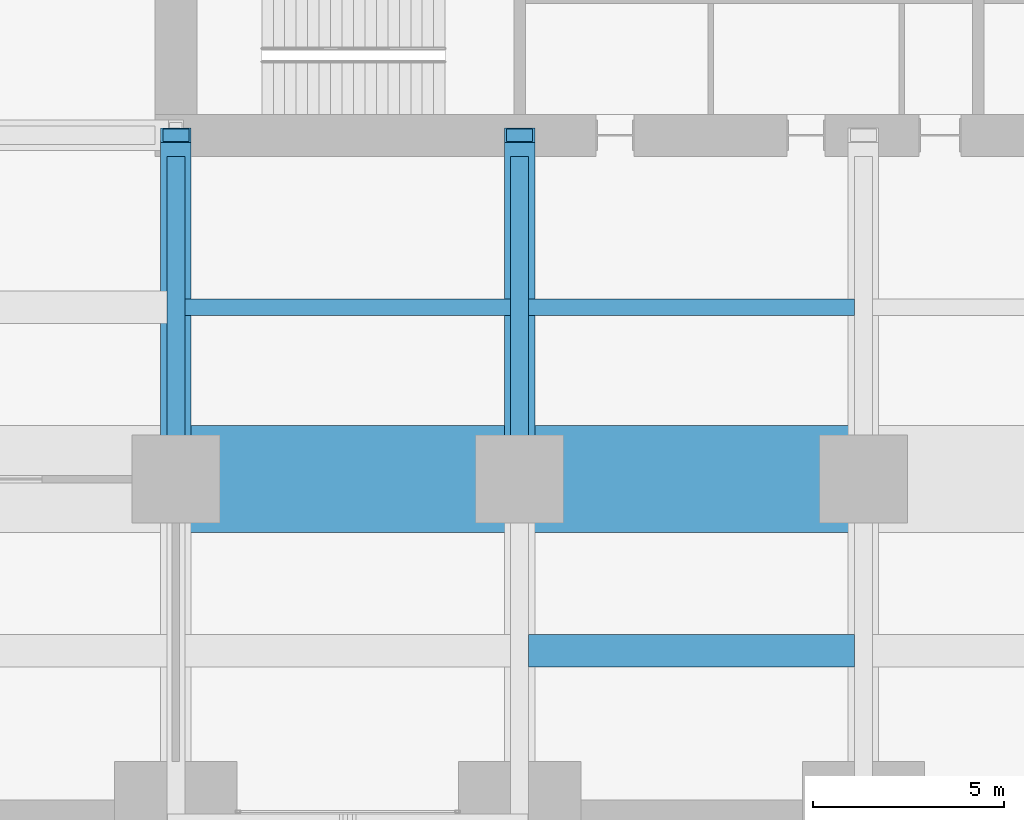
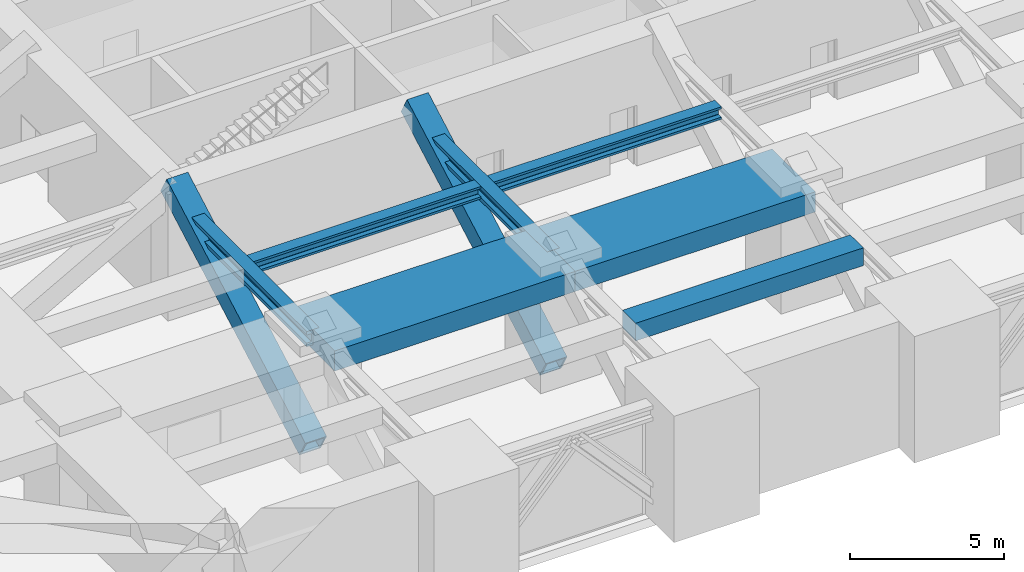
# One storey, part 5 of 35: 7 beams, 2 members.
"""IFC4 building model written with IfcOpenShell, lengths in metres."""

from ifc_helpers import new_model, si_unit, direction, frame, origin, origin_2d, place, context, subcontext, project, spatial, rectangle, hollow_rectangle, i_section, extrude, material, material_profile, profile_set, type_object, element, save


model = new_model("IFC4")

# Units and contexts
model_context = context("Model", 3, precision=1e-05, world=origin(), true_north=direction((0.0, 1.0)))
body_context = subcontext(model_context, "Body", "Model", "MODEL_VIEW")
ifc_project = project(units=[si_unit("LENGTHUNIT", "METRE"), si_unit("AREAUNIT", "SQUARE_METRE"), si_unit("VOLUMEUNIT", "CUBIC_METRE"), si_unit("PLANEANGLEUNIT", "RADIAN"), si_unit("MASSUNIT", "GRAM", prefix="KILO")], contexts=[model_context])

# Site, building, storey
site_placement = place(None, origin())
site = spatial("IfcSite", under=ifc_project, at=site_placement, CompositionType="ELEMENT")
building_placement = place(site_placement, origin())
building = spatial("IfcBuilding", under=site, at=building_placement, Name="Zorevar Civic Tower", CompositionType="ELEMENT")
storey_placement = place(building_placement, frame((0.0, 0.0, 80.0)))
storey = spatial("IfcBuildingStorey", under=building, at=storey_placement, Name="L19", CompositionType="ELEMENT", Elevation=80.0)

# Beams
ifc_material_1 = material(Name="Concrete C50/60", Category="concrete")
ifc_material_profile_1 = material_profile(ifc_material_1, rectangle(XDim=2.800048828125, YDim=0.800048828125, at=origin_2d()), Name="RC 2800x800")
ifc_profile_set_1 = profile_set([ifc_material_profile_1], Name="Concrete C50/60")
beam_type_1 = type_object("IfcBeamType", Name="Beam RC 2800x800", PredefinedType="BEAM", material=ifc_profile_set_1)
for number, where, z_axis, x_axis, name in (
    (1, (18.0, 9.0, 4.199951171875), (1.0, 0.0, 0.0), (0.0, 1.0, 0.0), "Girder L20"),
    (2, (27.0, 9.0, 4.199951171875), (1.0, 0.0, 0.0), (0.0, 1.0, 0.0), "Girder L20"),
):
    element("IfcBeam", number, at=place(storey_placement, frame(where, z_axis=z_axis, x_axis=x_axis)), inside=storey, type_object=beam_type_1, Name=name, PredefinedType="BEAM", context=body_context, shape_type="SweptSolid", body=[
        extrude(rectangle(XDim=2.800048828125, YDim=0.800048828125, at=origin_2d()), origin(), (0.0, 0.0, 1.0), 9.0),
    ])
ifc_material_2 = material(Name="Concrete C50/60", Category="concrete")
ifc_material_profile_2 = material_profile(ifc_material_2, rectangle(XDim=0.85009765625, YDim=0.699951171875, at=origin_2d()), Name="RC 850x700")
ifc_profile_set_2 = profile_set([ifc_material_profile_2], Name="Concrete C50/60")
beam_type_2 = type_object("IfcBeamType", Name="Beam RC 850x700", PredefinedType="BEAM", material=ifc_profile_set_2)
beam_placement = place(storey_placement, frame((27.238037109375, 4.5, 4.25), z_axis=(1.0, 0.0, 0.0), x_axis=(0.0, 1.0, 0.0)))
element("IfcBeam", 3, at=beam_placement, inside=storey, type_object=beam_type_2, Name="Secondary beam L20", PredefinedType="BEAM", context=body_context, shape_type="SweptSolid", body=[
    extrude(rectangle(XDim=0.85009765625, YDim=0.699951171875, at=origin_2d()), origin(), (0.0, 0.0, 1.0), 8.52392578125),
])
ifc_material_3 = material(Name="Steel S460M (HISTAR 460)", Category="steel")
ifc_material_profile_3 = material_profile(ifc_material_3, i_section(OverallWidth=0.431884765625, OverallDepth=0.498046875, WebThickness=0.0556640625, FlangeThickness=0.0888671875, FilletRadius=0.014892578125, at=origin_2d()), Name="HD 400x744")
ifc_profile_set_3 = profile_set([ifc_material_profile_3], Name="Steel S460M (HISTAR 460)")
beam_type_3 = type_object("IfcBeamType", Name="Core bay beam HD 400x744", PredefinedType="BEAM", material=ifc_profile_set_3)
for number, where, z_axis, x_axis, name in (
    (4, (18.238037109375, 13.5, 4.35107421875), (1.0, 0.0, 0.0), (0.0, 1.0, 0.0), "Secondary beam L20"),
    (5, (27.238037109375, 13.5, 4.35107421875), (1.0, 0.0, 0.0), (0.0, 1.0, 0.0), "Secondary beam L20"),
):
    element("IfcBeam", number, at=place(storey_placement, frame(where, z_axis=z_axis, x_axis=x_axis)), inside=storey, type_object=beam_type_3, Name=name, PredefinedType="BEAM", context=body_context, shape_type="SweptSolid", body=[
        extrude(i_section(OverallWidth=0.431884765625, OverallDepth=0.498046875, WebThickness=0.0556640625, FlangeThickness=0.0888671875, FilletRadius=0.014892578125, at=origin_2d()), origin(), (0.0, 0.0, 1.0), 8.52392578125),
    ])
ifc_material_4 = material(Name="Steel S460M (HISTAR 460)", Category="steel")
ifc_material_profile_4 = material_profile(ifc_material_4, i_section(OverallWidth=0.47607421875, OverallDepth=0.60009765625, WebThickness=0.10009765625, FlangeThickness=0.139892578125, FilletRadius=0.014892578125, at=origin_2d()), Name="HD 400x1299")
ifc_profile_set_4 = profile_set([ifc_material_profile_4], Name="Steel S460M (HISTAR 460)")
beam_type_4 = type_object("IfcBeamType", Name="Outrigger chord HD 400x1299", PredefinedType="BEAM", material=ifc_profile_set_4)
for number, where, z_axis, x_axis, name in (
    (6, (18.0, 9.0, 4.300048828125), (0.0, 1.0, 0.0), (-1.0, 0.0, 0.0), "Outrigger chord L20"),
    (7, (27.0, 9.0, 4.300048828125), (0.0, 1.0, 0.0), (-1.0, 0.0, 0.0), "Outrigger chord L20"),
):
    element("IfcBeam", number, at=place(storey_placement, frame(where, z_axis=z_axis, x_axis=x_axis)), inside=storey, type_object=beam_type_4, Name=name, PredefinedType="BEAM", context=body_context, shape_type="SweptSolid", body=[
        extrude(i_section(OverallWidth=0.47607421875, OverallDepth=0.60009765625, WebThickness=0.10009765625, FlangeThickness=0.139892578125, FilletRadius=0.014892578125, at=origin_2d()), origin(), (0.0, 0.0, 1.0), 8.449951171875),
    ])

# Members
ifc_material_5 = material(Name="Steel S460M (HISTAR 460)", Category="steel")
ifc_material_profile_5 = material_profile(ifc_material_5, hollow_rectangle(XDim=0.800048828125, YDim=0.800048828125, WallThickness=0.06005859375, at=origin_2d()), Name="BOX 800x800x60")
ifc_profile_set_5 = profile_set([ifc_material_profile_5], Name="Steel S460M (HISTAR 460)")
member_type = type_object("IfcMemberType", Name="Outrigger diagonal BOX 800x800x60", PredefinedType="BRACE", material=ifc_profile_set_5)
for number, where, z_axis, x_axis, name in (
    (8, (18.0, 18.0, 5.0), (0.0, -0.874157276122, -0.485642931179), (1.0, 0.0, 0.0), "Outrigger diagonal S L19"),
    (9, (27.0, 18.0, 5.0), (0.0, -0.874157276122, -0.485642931179), (1.0, 0.0, 0.0), "Outrigger diagonal S L19"),
):
    element("IfcMember", number, at=place(storey_placement, frame(where, z_axis=z_axis, x_axis=x_axis)), inside=storey, type_object=member_type, Name=name, PredefinedType="BRACE", context=body_context, shape_type="SweptSolid", body=[
        extrude(hollow_rectangle(XDim=0.800048828125, YDim=0.800048828125, WallThickness=0.06005859375, at=origin_2d()), origin(), (0.0, 0.0, 1.0), 10.295654296875),
    ])

save(model, "model.ifc")
